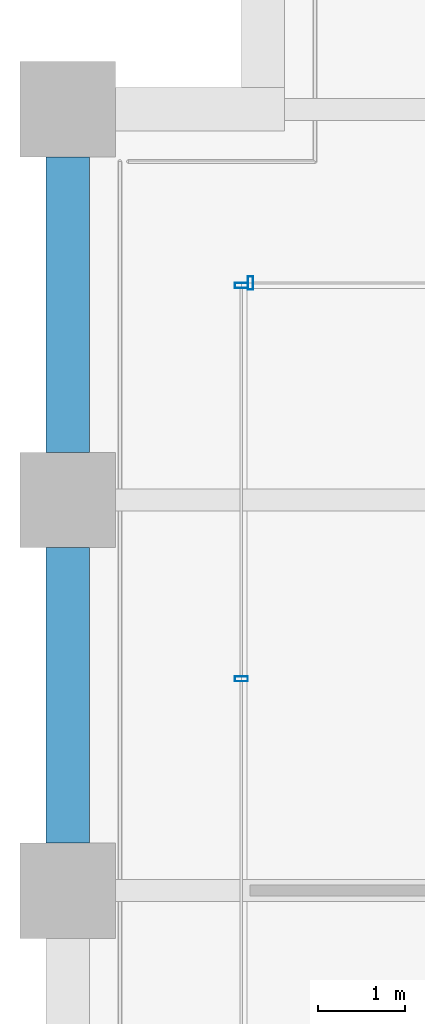
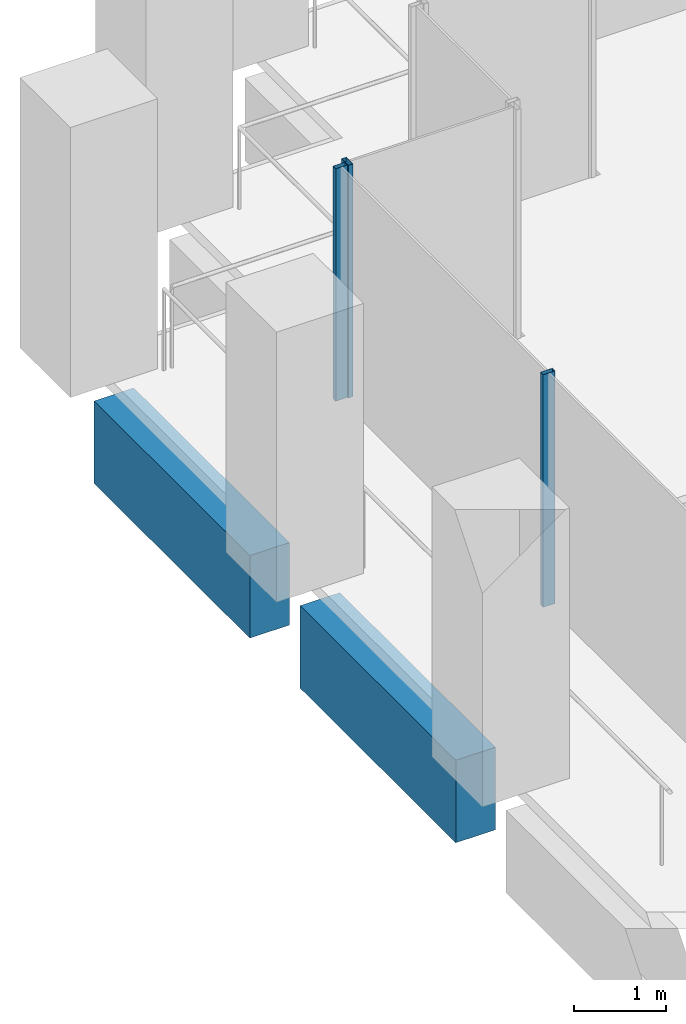
# One storey, part 23 of 56: 3 members, 2 beams, 2 elements without a shape of their own.
"""IFC4 building model written with IfcOpenShell, lengths in metres."""

import ifcopenshell
import ifcopenshell.guid

model = None  # the IFC model being written
_history = None  # IfcOwnerHistory: only IFC2X3 demands one
_inside = {}  # id of a spatial element -> (the spatial element, [elements in it])
_under = {}  # id of a project, library or spatial element -> (it, [spatial elements below it])
_declared = {}  # id of a project -> (the project, [libraries it declares])
_typed = {}  # id of a type object -> (the type object, [elements of that type])
_made_of = {}  # id of a material, layer set ... -> (it, [elements and type objects made of it])


def new_model(schema):
    """Start an empty IFC model of exactly this schema.

    Asked for "IFC4X3", IfcOpenShell would pick the latest addendum, in which some entities
    have other attributes; the version numbers below select the first issue.
    IFC2X3 requires an IfcOwnerHistory on every rooted entity: one is made here for all.
    """
    global model, _history
    if schema == "IFC4X3":
        model = ifcopenshell.file(schema_version=(4, 3, 0, 0))
    else:
        model = ifcopenshell.file(schema=schema)
    _inside.clear()
    _under.clear()
    _declared.clear()
    _typed.clear()
    _made_of.clear()
    _history = None
    if model.schema == "IFC2X3":
        org = make("IfcOrganization", Name="unknown")
        user = make(
            "IfcPersonAndOrganization",
            ThePerson=make("IfcPerson", FamilyName="unknown"),
            TheOrganization=org,
        )
        app = make(
            "IfcApplication",
            ApplicationDeveloper=org,
            Version="unknown",
            ApplicationFullName="unknown",
            ApplicationIdentifier="unknown",
        )
        _history = make(
            "IfcOwnerHistory",
            OwningUser=user,
            OwningApplication=app,
            ChangeAction="ADDED",
            CreationDate=0,
        )
    return model


def make(cls, **values):
    """One entity of the class cls with the attributes given. An attribute that is None is left unset."""
    return model.create_entity(
        cls, **{name: value for name, value in values.items() if value is not None}
    )


def rooted(cls, **values):
    """An entity with a GlobalId (a new one), such as an element, a storey or a relation."""
    return make(cls, GlobalId=ifcopenshell.guid.new(), OwnerHistory=_history, **values)


def si_unit(unit_type, name, prefix=None):
    """IfcSIUnit, for example si_unit("LENGTHUNIT", "METRE", prefix="MILLI")."""
    return make("IfcSIUnit", UnitType=unit_type, Prefix=prefix, Name=name)


def assignment(units):
    """IfcUnitAssignment: the units of a project."""
    return None if units is None else make("IfcUnitAssignment", Units=units)


def point(xyz):
    """IfcCartesianPoint."""
    return None if xyz is None else make("IfcCartesianPoint", Coordinates=xyz)


def direction(xyz):
    """IfcDirection."""
    return None if xyz is None else make("IfcDirection", DirectionRatios=xyz)


def frame(location, z_axis=None, x_axis=None):
    """IfcAxis2Placement3D, a coordinate frame: its origin and axes. An axis left out is left unset."""
    return make(
        "IfcAxis2Placement3D",
        Location=point(location),
        Axis=direction(z_axis),
        RefDirection=direction(x_axis),
    )


def frame_2d(location, x_axis=None):
    """IfcAxis2Placement2D, a coordinate frame in the plane: its origin and x axis."""
    return make(
        "IfcAxis2Placement2D", Location=point(location), RefDirection=direction(x_axis)
    )


def origin():
    """The frame at (0, 0, 0) with its axes left unset."""
    return frame((0.0, 0.0, 0.0))


def origin_2d():
    """The frame at (0, 0) in the plane with its x axis left unset."""
    return frame_2d((0.0, 0.0))


def place(relative_to, where):
    """IfcLocalPlacement: puts the frame where relative to a parent placement (None: the world)."""
    return make(
        "IfcLocalPlacement", PlacementRelTo=relative_to, RelativePlacement=where
    )


def context(
    kind, dimensions, precision=None, world=None, true_north=None, identifier=None
):
    """IfcGeometricRepresentationContext, for example the 3D "Model" context."""
    return make(
        "IfcGeometricRepresentationContext",
        ContextIdentifier=identifier,
        ContextType=kind,
        CoordinateSpaceDimension=dimensions,
        Precision=precision,
        WorldCoordinateSystem=world,
        TrueNorth=true_north,
    )


def subcontext(parent, identifier, kind, view, scale=None):
    """IfcGeometricRepresentationSubContext, for example "Body" below "Model"."""
    return make(
        "IfcGeometricRepresentationSubContext",
        ContextIdentifier=identifier,
        ContextType=kind,
        ParentContext=parent,
        TargetScale=scale,
        TargetView=view,
    )


def project(units=None, contexts=None):
    """IfcProject with its units and contexts."""
    return rooted(
        "IfcProject",
        Name="project",
        RepresentationContexts=contexts,
        UnitsInContext=assignment(units),
    )


def spatial(cls, under=None, at=None, **own):
    """A site, building, storey or space (cls), placed at a placement, below another one or the project."""
    s = rooted(cls, ObjectPlacement=at, **own)
    if under is not None:
        _under.setdefault(under.id(), (under, []))[1].append(s)
    return s


def profile(cls, at=None, kind="AREA", **sizes):
    """A parametric profile (cls). Its sizes go by their IFC names, for example OverallWidth=200.0."""
    return make(cls, ProfileType=kind, Position=at, **sizes)


def rectangle(**sizes):
    """IfcRectangleProfileDef."""
    return profile("IfcRectangleProfileDef", **sizes)


def hollow_rectangle(**sizes):
    """IfcRectangleHollowProfileDef."""
    return profile("IfcRectangleHollowProfileDef", **sizes)


def extrude(swept, where, along, depth):
    """IfcExtrudedAreaSolid: the profile swept, set in the frame where, extruded along a direction by depth."""
    return make(
        "IfcExtrudedAreaSolid",
        SweptArea=swept,
        Position=where,
        ExtrudedDirection=direction(along),
        Depth=depth,
    )


def shape(context_of_items, identifier, shape_type, items):
    """IfcShapeRepresentation: the items that make up one representation, for example the "Body"."""
    return make(
        "IfcShapeRepresentation",
        ContextOfItems=context_of_items,
        RepresentationIdentifier=identifier,
        RepresentationType=shape_type,
        Items=items,
    )


def material(Name=None, Category=None):
    """IfcMaterial."""
    return make("IfcMaterial", Name=Name, Category=Category)


def material_profile(
    of_material, cross_section, Name=None, Category=None, Priority=None
):
    """IfcMaterialProfile: a cross section and its material."""
    return make(
        "IfcMaterialProfile",
        Name=Name,
        Material=of_material,
        Profile=cross_section,
        Priority=Priority,
        Category=Category,
    )


def profile_set(profiles, Name=None, composite=None):
    """IfcMaterialProfileSet."""
    return make(
        "IfcMaterialProfileSet",
        Name=Name,
        MaterialProfiles=profiles,
        CompositeProfile=composite,
    )


def made_of(thing, what):
    """Note that an element or type object is made of a material, layer set ...; save() writes the relation."""
    if what is not None:
        _made_of.setdefault(what.id(), (what, []))[1].append(thing)
    return thing


def type_object(cls, material=None, **own):
    """A type object (cls), such as IfcWallType, which elements share."""
    return made_of(rooted(cls, **own), material)


def element(
    cls,
    number,
    at=None,
    inside=None,
    cuts=None,
    type_object=None,
    material=None,
    context=None,
    identifier="Body",
    shape_type=None,
    held_by="IfcProductDefinitionShape",
    body=None,
    shapes=None,
    **own,
):
    """One element of the class cls, such as IfcWall. Its Tag is "e" and its number.

    at: its placement. inside: the storey or other place that contains it. cuts: it is an
    opening in that element (IfcRelVoidsElement). A single representation is given by context,
    identifier, shape_type and body (its items); several are given by shapes. held_by: the class
    of the entity that holds the representations. save() writes the other relations.
    """
    e = rooted(cls, Tag="e%d" % number, ObjectPlacement=at, **own)
    if body is not None:
        shapes = [shape(context, identifier, shape_type, body)]
    if shapes is not None:
        e.Representation = make(held_by, Representations=shapes)
    if inside is not None:
        _inside.setdefault(inside.id(), (inside, []))[1].append(e)
    if cuts is not None:
        rooted(
            "IfcRelVoidsElement", RelatingBuildingElement=cuts, RelatedOpeningElement=e
        )
    if type_object is not None:
        _typed.setdefault(type_object.id(), (type_object, []))[1].append(e)
    return made_of(e, material)


def aggregate(whole, parts):
    """IfcRelAggregates: a whole, such as a stair, and the parts it consists of."""
    return rooted("IfcRelAggregates", RelatingObject=whole, RelatedObjects=parts)


def save(model, path):
    """Write the relations noted so far, then the file.

    IfcRelAggregates (storeys below a building ...), IfcRelContainedInSpatialStructure (elements
    in a storey), IfcRelDefinesByType, IfcRelAssociatesMaterial and IfcRelDeclares: one each for
    every whole, place, type object, material and project.
    """
    for whole, parts in _under.values():
        aggregate(whole, parts)
    for where, things in _inside.values():
        rooted(
            "IfcRelContainedInSpatialStructure",
            RelatedElements=things,
            RelatingStructure=where,
        )
    for kind, things in _typed.values():
        rooted("IfcRelDefinesByType", RelatedObjects=things, RelatingType=kind)
    for what, things in _made_of.values():
        rooted("IfcRelAssociatesMaterial", RelatedObjects=things, RelatingMaterial=what)
    for by, libraries in _declared.values():
        rooted("IfcRelDeclares", RelatingContext=by, RelatedDefinitions=libraries)
    model.write(path)


model = new_model("IFC4")

# Units and contexts
model_context = context("Model", 3, precision=1e-05, world=origin(), true_north=direction((0.0, 1.0)))
body_context = subcontext(model_context, "Body", "Model", "MODEL_VIEW")
ifc_project = project(units=[si_unit("LENGTHUNIT", "METRE"), si_unit("AREAUNIT", "SQUARE_METRE"), si_unit("VOLUMEUNIT", "CUBIC_METRE"), si_unit("PLANEANGLEUNIT", "RADIAN"), si_unit("MASSUNIT", "GRAM", prefix="KILO")], contexts=[model_context])

# Site, building, storey
site_placement = place(None, origin())
site = spatial("IfcSite", under=ifc_project, at=site_placement, CompositionType="ELEMENT")
building_placement = place(site_placement, origin())
building = spatial("IfcBuilding", under=site, at=building_placement, Name="Altepetl Exchange Towers", CompositionType="ELEMENT")
storey_placement = place(building_placement, frame((0.0, 0.0, 76.199951171875)))
storey = spatial("IfcBuildingStorey", under=building, at=storey_placement, Name="L18", CompositionType="ELEMENT", Elevation=76.199951171875)

# Curtain wall, member
ifc_material_1 = material(Name="Aluminium 6063-T6 glazing", Category="aluminium")
curtain_wall_type = type_object("IfcCurtainWallType", Name="Loggia glazing system", PredefinedType="NOTDEFINED", material=ifc_material_1)
curtain_wall_1_placement = place(storey_placement, origin())
curtain_wall_1 = element("IfcCurtainWall", 1, at=curtain_wall_1_placement, inside=storey, type_object=curtain_wall_type, Name="CW1 run", PredefinedType="NOTDEFINED")
ifc_material_2 = material(Name="Aluminium 6063-T6", Category="aluminium")
ifc_material_profile_1 = material_profile(ifc_material_2, hollow_rectangle(XDim=0.06005859375, YDim=0.14990234375, WallThickness=0.0029296875, at=origin_2d()), Name="Mullion 60x150 aluminium")
ifc_profile_set_1 = profile_set([ifc_material_profile_1], Name="Aluminium 6063-T6")
member_type = type_object("IfcMemberType", Name="Mullion 60x150 aluminium", PredefinedType="MULLION", material=ifc_profile_set_1)
member_1_placement = place(storey_placement, frame((29.10498046875, 65.5, 0.0), z_axis=(0.0, 0.0, 1.0), x_axis=(-1.0, 0.0, 0.0)))
member_1 = element("IfcMember", 2, at=member_1_placement, type_object=member_type, Name="MU1 mullion", PredefinedType="MULLION", context=body_context, shape_type="SweptSolid", body=[
    extrude(hollow_rectangle(XDim=0.06005859375, YDim=0.14990234375, WallThickness=0.0029296875, at=origin_2d()), origin(), (0.0, 0.0, 1.0), 3.10009765625),
])
aggregate(curtain_wall_1, [member_1])

# Curtain wall, members
curtain_wall_2_placement = place(storey_placement, origin())
curtain_wall_2 = element("IfcCurtainWall", 3, at=curtain_wall_2_placement, inside=storey, type_object=curtain_wall_type, Name="CW1 run", PredefinedType="NOTDEFINED")
member_2_placement = place(storey_placement, frame((29.0, 65.469970703125, 0.0), z_axis=(0.0, 0.0, 1.0), x_axis=(0.0, -1.0, 0.0)))
member_2 = element("IfcMember", 4, at=member_2_placement, type_object=member_type, Name="MU1 mullion", PredefinedType="MULLION", context=body_context, shape_type="SweptSolid", body=[
    extrude(hollow_rectangle(XDim=0.06005859375, YDim=0.14990234375, WallThickness=0.0029296875, at=origin_2d()), origin(), (0.0, 0.0, 1.0), 3.10009765625),
])
member_3_placement = place(storey_placement, frame((29.0, 60.939208984375, 0.0), z_axis=(0.0, 0.0, 1.0), x_axis=(0.0, -1.0, 0.0)))
member_3 = element("IfcMember", 5, at=member_3_placement, type_object=member_type, Name="MU1 mullion", PredefinedType="MULLION", context=body_context, shape_type="SweptSolid", body=[
    extrude(hollow_rectangle(XDim=0.06005859375, YDim=0.14990234375, WallThickness=0.0029296875, at=origin_2d()), origin(), (0.0, 0.0, 1.0), 3.10009765625),
])
aggregate(curtain_wall_2, [member_2, member_3])

# Beams
ifc_material_3 = material(Name="Concrete C50/60 precast with tezontle facing", Category="concrete")
ifc_material_profile_2 = material_profile(ifc_material_3, rectangle(XDim=0.5, YDim=1.10009765625, at=origin_2d()), Name="500 x 1100")
ifc_profile_set_2 = profile_set([ifc_material_profile_2], Name="Concrete C50/60 precast with tezontle facing")
beam_type = type_object("IfcBeamType", Name="Spandrel beam 500x1100 tezontle", PredefinedType="SPANDREL", material=ifc_profile_set_2)
for number, where, z_axis, x_axis, name in (
    (6, (27.0, 66.949951171875, -0.699951171875), (0.0, -1.0, 0.0), (1.0, 0.0, 0.0), "sp:A:L18:036"),
    (7, (27.0, 62.449951171875, -0.699951171875), (0.0, -1.0, 0.0), (1.0, 0.0, 0.0), "sp:A:L18:037"),
):
    element("IfcBeam", number, at=place(storey_placement, frame(where, z_axis=z_axis, x_axis=x_axis)), inside=storey, type_object=beam_type, Name=name, PredefinedType="SPANDREL", context=body_context, shape_type="SweptSolid", body=[
        extrude(rectangle(XDim=0.5, YDim=1.10009765625, at=origin_2d()), origin(), (0.0, 0.0, 1.0), 3.39990234375),
    ])

save(model, "model.ifc")
